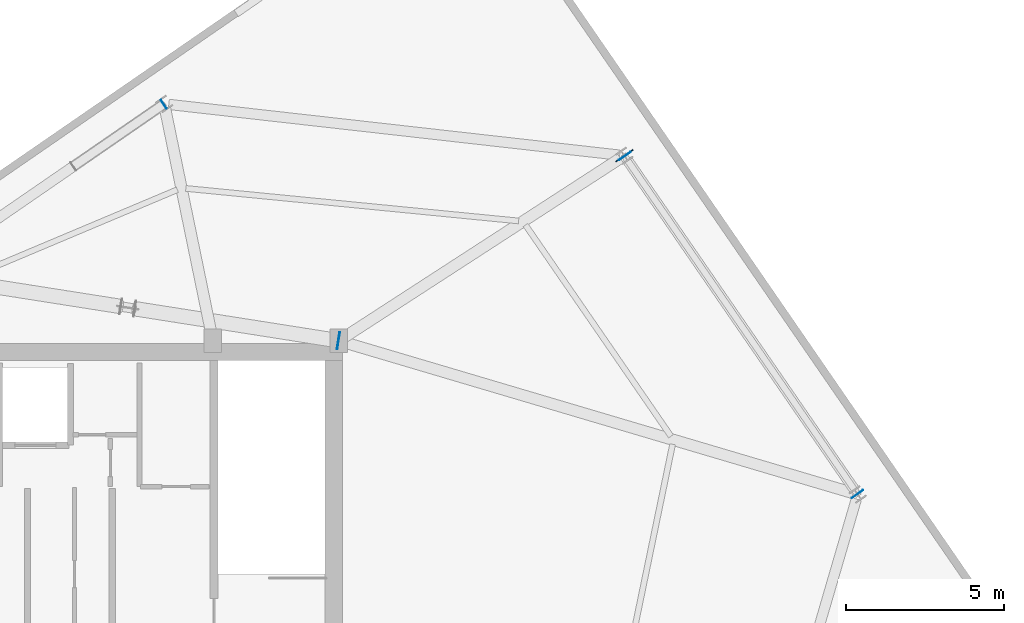
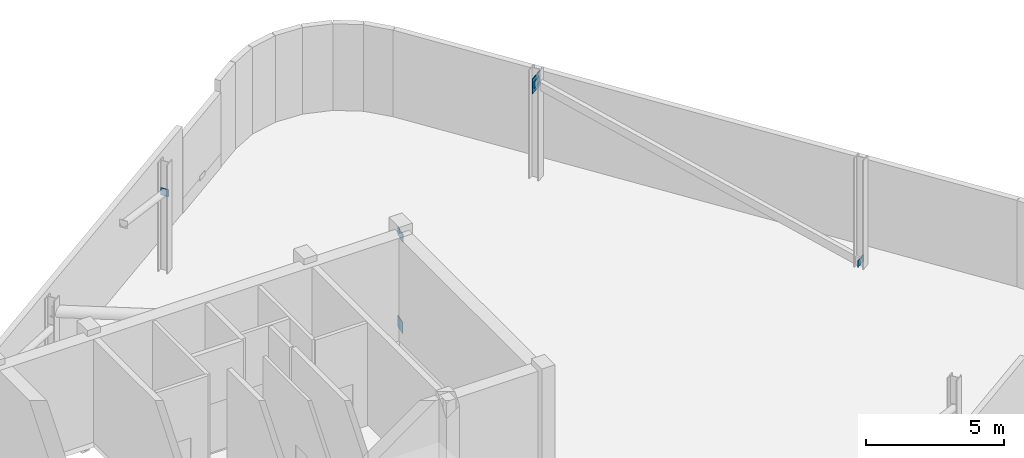
# One storey, part 7 of 10: 6 plates.
"""IFC4 building model written with IfcOpenShell, lengths in metres."""

import ifcopenshell
import ifcopenshell.guid

model = None  # the IFC model being written
_history = None  # IfcOwnerHistory: only IFC2X3 demands one
_inside = {}  # id of a spatial element -> (the spatial element, [elements in it])
_under = {}  # id of a project, library or spatial element -> (it, [spatial elements below it])
_declared = {}  # id of a project -> (the project, [libraries it declares])
_typed = {}  # id of a type object -> (the type object, [elements of that type])
_made_of = {}  # id of a material, layer set ... -> (it, [elements and type objects made of it])


def new_model(schema):
    """Start an empty IFC model of exactly this schema.

    Asked for "IFC4X3", IfcOpenShell would pick the latest addendum, in which some entities
    have other attributes; the version numbers below select the first issue.
    IFC2X3 requires an IfcOwnerHistory on every rooted entity: one is made here for all.
    """
    global model, _history
    if schema == "IFC4X3":
        model = ifcopenshell.file(schema_version=(4, 3, 0, 0))
    else:
        model = ifcopenshell.file(schema=schema)
    _inside.clear()
    _under.clear()
    _declared.clear()
    _typed.clear()
    _made_of.clear()
    _history = None
    if model.schema == "IFC2X3":
        org = make("IfcOrganization", Name="unknown")
        user = make(
            "IfcPersonAndOrganization",
            ThePerson=make("IfcPerson", FamilyName="unknown"),
            TheOrganization=org,
        )
        app = make(
            "IfcApplication",
            ApplicationDeveloper=org,
            Version="unknown",
            ApplicationFullName="unknown",
            ApplicationIdentifier="unknown",
        )
        _history = make(
            "IfcOwnerHistory",
            OwningUser=user,
            OwningApplication=app,
            ChangeAction="ADDED",
            CreationDate=0,
        )
    return model


def make(cls, **values):
    """One entity of the class cls with the attributes given. An attribute that is None is left unset."""
    return model.create_entity(
        cls, **{name: value for name, value in values.items() if value is not None}
    )


def rooted(cls, **values):
    """An entity with a GlobalId (a new one), such as an element, a storey or a relation."""
    return make(cls, GlobalId=ifcopenshell.guid.new(), OwnerHistory=_history, **values)


def si_unit(unit_type, name, prefix=None):
    """IfcSIUnit, for example si_unit("LENGTHUNIT", "METRE", prefix="MILLI")."""
    return make("IfcSIUnit", UnitType=unit_type, Prefix=prefix, Name=name)


def assignment(units):
    """IfcUnitAssignment: the units of a project."""
    return None if units is None else make("IfcUnitAssignment", Units=units)


def point(xyz):
    """IfcCartesianPoint."""
    return None if xyz is None else make("IfcCartesianPoint", Coordinates=xyz)


def direction(xyz):
    """IfcDirection."""
    return None if xyz is None else make("IfcDirection", DirectionRatios=xyz)


def frame(location, z_axis=None, x_axis=None):
    """IfcAxis2Placement3D, a coordinate frame: its origin and axes. An axis left out is left unset."""
    return make(
        "IfcAxis2Placement3D",
        Location=point(location),
        Axis=direction(z_axis),
        RefDirection=direction(x_axis),
    )


def frame_2d(location, x_axis=None):
    """IfcAxis2Placement2D, a coordinate frame in the plane: its origin and x axis."""
    return make(
        "IfcAxis2Placement2D", Location=point(location), RefDirection=direction(x_axis)
    )


def origin():
    """The frame at (0, 0, 0) with its axes left unset."""
    return frame((0.0, 0.0, 0.0))


def origin_2d():
    """The frame at (0, 0) in the plane with its x axis left unset."""
    return frame_2d((0.0, 0.0))


def place(relative_to, where):
    """IfcLocalPlacement: puts the frame where relative to a parent placement (None: the world)."""
    return make(
        "IfcLocalPlacement", PlacementRelTo=relative_to, RelativePlacement=where
    )


def context(
    kind, dimensions, precision=None, world=None, true_north=None, identifier=None
):
    """IfcGeometricRepresentationContext, for example the 3D "Model" context."""
    return make(
        "IfcGeometricRepresentationContext",
        ContextIdentifier=identifier,
        ContextType=kind,
        CoordinateSpaceDimension=dimensions,
        Precision=precision,
        WorldCoordinateSystem=world,
        TrueNorth=true_north,
    )


def subcontext(parent, identifier, kind, view, scale=None):
    """IfcGeometricRepresentationSubContext, for example "Body" below "Model"."""
    return make(
        "IfcGeometricRepresentationSubContext",
        ContextIdentifier=identifier,
        ContextType=kind,
        ParentContext=parent,
        TargetScale=scale,
        TargetView=view,
    )


def project(units=None, contexts=None):
    """IfcProject with its units and contexts."""
    return rooted(
        "IfcProject",
        Name="project",
        RepresentationContexts=contexts,
        UnitsInContext=assignment(units),
    )


def spatial(cls, under=None, at=None, **own):
    """A site, building, storey or space (cls), placed at a placement, below another one or the project."""
    s = rooted(cls, ObjectPlacement=at, **own)
    if under is not None:
        _under.setdefault(under.id(), (under, []))[1].append(s)
    return s


def profile(cls, at=None, kind="AREA", **sizes):
    """A parametric profile (cls). Its sizes go by their IFC names, for example OverallWidth=200.0."""
    return make(cls, ProfileType=kind, Position=at, **sizes)


def rectangle(**sizes):
    """IfcRectangleProfileDef."""
    return profile("IfcRectangleProfileDef", **sizes)


def extrude(swept, where, along, depth):
    """IfcExtrudedAreaSolid: the profile swept, set in the frame where, extruded along a direction by depth."""
    return make(
        "IfcExtrudedAreaSolid",
        SweptArea=swept,
        Position=where,
        ExtrudedDirection=direction(along),
        Depth=depth,
    )


def shape(context_of_items, identifier, shape_type, items):
    """IfcShapeRepresentation: the items that make up one representation, for example the "Body"."""
    return make(
        "IfcShapeRepresentation",
        ContextOfItems=context_of_items,
        RepresentationIdentifier=identifier,
        RepresentationType=shape_type,
        Items=items,
    )


def source(mapping_origin, context_of_items, identifier, shape_type, items):
    """IfcRepresentationMap: a shape defined once, which mapped items show again and again."""
    return make(
        "IfcRepresentationMap",
        MappingOrigin=mapping_origin,
        MappedRepresentation=shape(context_of_items, identifier, shape_type, items),
    )


def transform(
    local_origin,
    x_axis=None,
    y_axis=None,
    z_axis=None,
    scale=None,
    scale2=None,
    scale3=None,
    uniform=True,
):
    """IfcCartesianTransformationOperator3D, or its non-uniform kind. x_axis, y_axis, z_axis: its Axis1, 2, 3."""
    if uniform:
        return make(
            "IfcCartesianTransformationOperator3D",
            Axis1=direction(x_axis),
            Axis2=direction(y_axis),
            LocalOrigin=point(local_origin),
            Scale=scale,
            Axis3=direction(z_axis),
        )
    return make(
        "IfcCartesianTransformationOperator3DnonUniform",
        Axis1=direction(x_axis),
        Axis2=direction(y_axis),
        LocalOrigin=point(local_origin),
        Scale=scale,
        Axis3=direction(z_axis),
        Scale2=scale2,
        Scale3=scale3,
    )


def mapped(mapping_source, mapping_target):
    """IfcMappedItem: shows the shape of a source again, moved by a transform."""
    return make(
        "IfcMappedItem", MappingSource=mapping_source, MappingTarget=mapping_target
    )


def material(Name=None, Category=None):
    """IfcMaterial."""
    return make("IfcMaterial", Name=Name, Category=Category)


def layer(
    of_material, thickness, ventilated=None, Name=None, Category=None, Priority=None
):
    """IfcMaterialLayer: one layer of a wall or slab, of a material (None: an air gap)."""
    return make(
        "IfcMaterialLayer",
        Material=of_material,
        LayerThickness=thickness,
        IsVentilated=ventilated,
        Name=Name,
        Category=Category,
        Priority=Priority,
    )


def layer_set(layers, Name=None):
    """IfcMaterialLayerSet."""
    return make("IfcMaterialLayerSet", MaterialLayers=layers, LayerSetName=Name)


def made_of(thing, what):
    """Note that an element or type object is made of a material, layer set ...; save() writes the relation."""
    if what is not None:
        _made_of.setdefault(what.id(), (what, []))[1].append(thing)
    return thing


def type_object(cls, material=None, **own):
    """A type object (cls), such as IfcWallType, which elements share."""
    return made_of(rooted(cls, **own), material)


def element(
    cls,
    number,
    at=None,
    inside=None,
    cuts=None,
    type_object=None,
    material=None,
    context=None,
    identifier="Body",
    shape_type=None,
    held_by="IfcProductDefinitionShape",
    body=None,
    shapes=None,
    **own,
):
    """One element of the class cls, such as IfcWall. Its Tag is "e" and its number.

    at: its placement. inside: the storey or other place that contains it. cuts: it is an
    opening in that element (IfcRelVoidsElement). A single representation is given by context,
    identifier, shape_type and body (its items); several are given by shapes. held_by: the class
    of the entity that holds the representations. save() writes the other relations.
    """
    e = rooted(cls, Tag="e%d" % number, ObjectPlacement=at, **own)
    if body is not None:
        shapes = [shape(context, identifier, shape_type, body)]
    if shapes is not None:
        e.Representation = make(held_by, Representations=shapes)
    if inside is not None:
        _inside.setdefault(inside.id(), (inside, []))[1].append(e)
    if cuts is not None:
        rooted(
            "IfcRelVoidsElement", RelatingBuildingElement=cuts, RelatedOpeningElement=e
        )
    if type_object is not None:
        _typed.setdefault(type_object.id(), (type_object, []))[1].append(e)
    return made_of(e, material)


def aggregate(whole, parts):
    """IfcRelAggregates: a whole, such as a stair, and the parts it consists of."""
    return rooted("IfcRelAggregates", RelatingObject=whole, RelatedObjects=parts)


def save(model, path):
    """Write the relations noted so far, then the file.

    IfcRelAggregates (storeys below a building ...), IfcRelContainedInSpatialStructure (elements
    in a storey), IfcRelDefinesByType, IfcRelAssociatesMaterial and IfcRelDeclares: one each for
    every whole, place, type object, material and project.
    """
    for whole, parts in _under.values():
        aggregate(whole, parts)
    for where, things in _inside.values():
        rooted(
            "IfcRelContainedInSpatialStructure",
            RelatedElements=things,
            RelatingStructure=where,
        )
    for kind, things in _typed.values():
        rooted("IfcRelDefinesByType", RelatedObjects=things, RelatingType=kind)
    for what, things in _made_of.values():
        rooted("IfcRelAssociatesMaterial", RelatedObjects=things, RelatingMaterial=what)
    for by, libraries in _declared.values():
        rooted("IfcRelDeclares", RelatingContext=by, RelatedDefinitions=libraries)
    model.write(path)


model = new_model("IFC4")

# Units and contexts
model_context = context("Model", 3, precision=1e-05, world=origin(), true_north=direction((0.0, 1.0)))
body_context = subcontext(model_context, "Body", "Model", "MODEL_VIEW")
ifc_project = project(units=[si_unit("LENGTHUNIT", "METRE"), si_unit("AREAUNIT", "SQUARE_METRE"), si_unit("VOLUMEUNIT", "CUBIC_METRE"), si_unit("PLANEANGLEUNIT", "RADIAN"), si_unit("MASSUNIT", "GRAM", prefix="KILO")], contexts=[model_context])

# Site, building, storey
site_placement = place(None, origin())
site = spatial("IfcSite", under=ifc_project, at=site_placement, CompositionType="ELEMENT")
building_placement = place(site_placement, origin())
building = spatial("IfcBuilding", under=site, at=building_placement, Name="Varnelok Gate Tower", CompositionType="ELEMENT")
storey_placement = place(building_placement, frame((0.0, 0.0, 305.89990234375)))
storey = spatial("IfcBuildingStorey", under=building, at=storey_placement, Name="L78", CompositionType="ELEMENT", Elevation=305.89990234375)

# Plates
ifc_material = material(Name="Structural Steel ASTM A572 Grade 50", Category="steel")
ifc_layer_1 = layer(ifc_material, 0.02490234375)
ifc_layer_set_1 = layer_set([ifc_layer_1], Name="Structural Steel ASTM A572 Grade 50")
plate_type_1 = type_object("IfcPlateType", Name="PLT-ENDCAP-25", PredefinedType="SHEET", material=ifc_layer_set_1)
shared_shape_1 = source(origin(), body_context, "Body", "SweptSolid", [
    extrude(rectangle(XDim=0.02490234375, YDim=0.43994140625, at=origin_2d()), origin(), (0.0, 0.0, 1.0), 0.2900390625),
])
for number, where, z_axis, x_axis, name in (
    (1, (64.09130859375, 34.20458984375, 0.05908203125), (0.0, 0.0, 1.0), (-0.567268949127, 0.823532597628, 0.0), "L78 hollow member sealed end plate 1"),
    (2, (56.731689453125, 44.888916015625, 4.041015625), (0.0, 0.0, 1.0), (-0.567268949127, 0.823532597628, 0.0), "L78 hollow member sealed end plate 2"),
):
    element("IfcPlate", number, at=place(storey_placement, frame(where, z_axis=z_axis, x_axis=x_axis)), inside=storey, type_object=plate_type_1, Name=name, PredefinedType="SHEET", context=body_context, shape_type="MappedRepresentation", body=[
        mapped(shared_shape_1, transform((0.0, 0.0, 0.0), scale=1.0)),
    ])
ifc_layer_2 = layer(ifc_material, 0.031982421875)
ifc_layer_set_2 = layer_set([ifc_layer_2], Name="Structural Steel ASTM A572 Grade 50")
plate_type_2 = type_object("IfcPlateType", Name="PLT-GUSSET-32", PredefinedType="USERDEFINED", material=ifc_layer_set_2)
shared_shape_2 = source(origin(), body_context, "Body", "SweptSolid", [
    extrude(rectangle(XDim=0.64990234375, YDim=0.031982421875, at=origin_2d()), origin(), (0.0, 0.0, 1.0), 0.64990234375),
])
plate_1_placement = place(storey_placement, frame((56.72412109375, 44.899658203125, 3.865234375), z_axis=(0.0, 0.0, 1.0), x_axis=(0.823532597628, 0.567268949127, 0.0)))
element("IfcPlate", 3, at=plate_1_placement, inside=storey, type_object=plate_type_2, Name="L78 Belt Truss Node Gusset Plate BN-1", ObjectType="GUSSET PLATE", PredefinedType="USERDEFINED", context=body_context, shape_type="MappedRepresentation", body=[
    mapped(shared_shape_2, transform((0.0, 0.0, 0.0), scale=1.0)),
])
shared_shape_3 = source(origin(), body_context, "Body", "SweptSolid", [
    extrude(rectangle(XDim=0.02490234375, YDim=0.5400390625, at=origin_2d()), origin(), (0.0, 0.0, 1.0), 0.340087890625),
])
plate_2_placement = place(storey_placement, frame((47.68701171875, 39.052001953125, 4.01611328125), z_axis=(0.0, 0.0, 1.0), x_axis=(0.987865174247, -0.155313867735, 0.0)))
element("IfcPlate", 4, at=plate_2_placement, inside=storey, type_object=plate_type_1, Name="L78 hollow member sealed end plate 2", PredefinedType="SHEET", context=body_context, shape_type="MappedRepresentation", body=[
    mapped(shared_shape_3, transform((0.0, 0.0, 0.0), scale=1.0)),
])
shared_shape_4 = source(origin(), body_context, "Body", "SweptSolid", [
    extrude(rectangle(XDim=0.02490234375, YDim=0.5, at=origin_2d()), origin(), (0.0, 0.0, 1.0), 0.5),
])
plate_3_placement = place(storey_placement, frame((47.68701171875, 39.052001953125, -0.0458984375), z_axis=(0.0, 0.0, 1.0), x_axis=(-0.987865174247, 0.155313867735, 0.0)))
element("IfcPlate", 5, at=plate_3_placement, inside=storey, type_object=plate_type_1, Name="L78 hollow member sealed end plate 1", PredefinedType="SHEET", context=body_context, shape_type="MappedRepresentation", body=[
    mapped(shared_shape_4, transform((0.0, 0.0, 0.0), scale=1.0)),
])
shared_shape_5 = source(origin(), body_context, "Body", "SweptSolid", [
    extrude(rectangle(XDim=0.02490234375, YDim=0.320068359375, at=origin_2d()), origin(), (0.0, 0.0, 1.0), 0.320068359375),
])
plate_4_placement = place(storey_placement, frame((42.16748046875, 46.529541015625, 3.283203125), z_axis=(0.0, 0.0, 1.0), x_axis=(-0.823542498214, -0.567254575685, 0.0)))
element("IfcPlate", 6, at=plate_4_placement, inside=storey, type_object=plate_type_1, Name="L78 hollow member sealed end plate 1", PredefinedType="SHEET", context=body_context, shape_type="MappedRepresentation", body=[
    mapped(shared_shape_5, transform((0.0, 0.0, 0.0), scale=1.0)),
])

save(model, "model.ifc")
